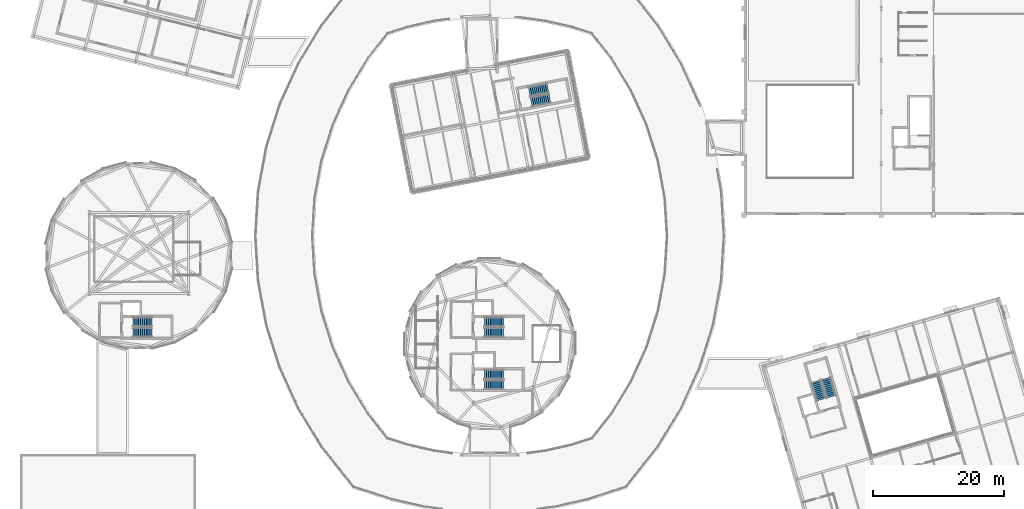
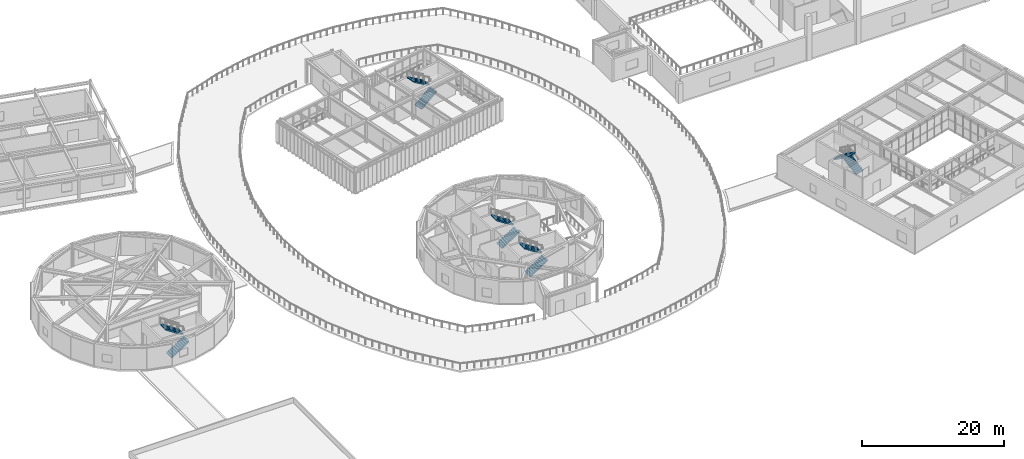
# One storey, part 40 of 59: 10 stair flights, 5 elements without a shape of their own.
"""IFC4 building model written with IfcOpenShell, lengths in metres."""

from ifc_helpers import new_model, si_unit, direction, frame, origin, place, context, subcontext, project, spatial, polyline, outline, extrude, material, type_object, element, aggregate, save


model = new_model("IFC4")

# Units and contexts
model_context = context("Model", 3, precision=1e-05, world=origin(), true_north=direction((0.0, 1.0)))
body_context = subcontext(model_context, "Body", "Model", "MODEL_VIEW")
ifc_project = project(units=[si_unit("LENGTHUNIT", "METRE"), si_unit("AREAUNIT", "SQUARE_METRE"), si_unit("VOLUMEUNIT", "CUBIC_METRE"), si_unit("PLANEANGLEUNIT", "RADIAN"), si_unit("MASSUNIT", "GRAM", prefix="KILO")], contexts=[model_context])

# Site, building, storey
site_placement = place(None, origin())
site = spatial("IfcSite", under=ifc_project, at=site_placement, CompositionType="ELEMENT")
building_placement = place(site_placement, origin())
building = spatial("IfcBuilding", under=site, at=building_placement, Name="Varnklinge Art Gallery", CompositionType="ELEMENT")
storey_placement = place(building_placement, frame((0.0, 0.0, 9.52001953125)))
storey = spatial("IfcBuildingStorey", under=building, at=storey_placement, Name="L02", CompositionType="ELEMENT", Elevation=9.52001953125)

# Stair, stair flights
ifc_material_1 = material(Name="Concrete C40/50", Category="concrete")
stair_type = type_object("IfcStairType", Name="STR-C4160", PredefinedType="HALF_TURN_STAIR", material=ifc_material_1)
stair_1_placement = place(storey_placement, origin())
stair_1 = element("IfcStair", 1, at=stair_1_placement, inside=storey, type_object=stair_type, Name="L02 Core C1 Stair ST-01", PredefinedType="HALF_TURN_STAIR")
ifc_material_2 = material(Name="Concrete C40/50", Category="concrete")
stair_flight_type = type_object("IfcStairFlightType", Name="FLT-C4160", PredefinedType="STRAIGHT", material=ifc_material_2)
stair_flight_1_placement = place(storey_placement, frame((74.699951171875, 32.22509765625, 0.0), z_axis=(0.0, 0.0, 1.0), x_axis=(1.0, 0.0, 0.0)))
stair_flight_1 = element("IfcStairFlight", 2, at=stair_flight_1_placement, type_object=stair_flight_type, Name="ST-01 flight 1", NumberOfRisers=11, NumberOfTreads=10, PredefinedType="STRAIGHT", RiserHeight=0.189090909, TreadLength=0.29, context=body_context, shape_type="SweptSolid", body=[
    extrude(outline(polyline([(0.0, 0.0), (0.0, 0.189208984375), (0.2900390625, 0.189208984375), (0.2900390625, 0.378173828125), (0.580078125, 0.378173828125), (0.580078125, 0.5673828125), (0.8701171875, 0.5673828125), (0.8701171875, 0.75634765625), (1.159912109375, 0.75634765625), (1.159912109375, 0.945556640625), (1.449951171875, 0.945556640625), (1.449951171875, 1.134521484375), (1.739990234375, 1.134521484375), (1.739990234375, 1.32373046875), (2.030029296875, 1.32373046875), (2.030029296875, 1.5126953125), (2.320068359375, 1.5126953125), (2.320068359375, 1.701904296875), (2.610107421875, 1.701904296875), (2.610107421875, 1.890869140625), (2.89990234375, 1.890869140625), (2.89990234375, 2.080078125), (2.89990234375, 1.699951171875), (0.292724609375, 0.0), (0.0, 0.0)])), frame((0.0, 0.72509765625, 0.0), z_axis=(0.0, -1.0, 0.0), x_axis=(1.0, 0.0, 0.0)), (0.0, 0.0, 1.0), 1.449951171875),
])
stair_flight_2_placement = place(storey_placement, frame((77.60009765625, 33.8349609375, 2.080078125), z_axis=(0.0, 0.0, 1.0), x_axis=(-1.0, 0.0, 0.0)))
stair_flight_2 = element("IfcStairFlight", 3, at=stair_flight_2_placement, type_object=stair_flight_type, Name="ST-01 flight 2", NumberOfRisers=11, NumberOfTreads=10, PredefinedType="STRAIGHT", RiserHeight=0.189090909, TreadLength=0.29, context=body_context, shape_type="SweptSolid", body=[
    extrude(outline(polyline([(0.0, 0.0), (0.0, 0.189208984375), (0.2900390625, 0.189208984375), (0.2900390625, 0.378173828125), (0.580078125, 0.378173828125), (0.580078125, 0.5673828125), (0.8701171875, 0.5673828125), (0.8701171875, 0.75634765625), (1.159912109375, 0.75634765625), (1.159912109375, 0.945556640625), (1.449951171875, 0.945556640625), (1.449951171875, 1.134521484375), (1.739990234375, 1.134521484375), (1.739990234375, 1.32373046875), (2.030029296875, 1.32373046875), (2.030029296875, 1.5126953125), (2.320068359375, 1.5126953125), (2.320068359375, 1.701904296875), (2.610107421875, 1.701904296875), (2.610107421875, 1.890869140625), (2.89990234375, 1.890869140625), (2.89990234375, 2.080078125), (2.89990234375, 1.699951171875), (0.292724609375, 0.0), (0.0, 0.0)])), frame((0.0, 0.72509765625, 0.0), z_axis=(0.0, -1.0, 0.0), x_axis=(1.0, 0.0, 0.0)), (0.0, 0.0, 1.0), 1.449951171875),
])
aggregate(stair_1, [stair_flight_1, stair_flight_2])

stair_2_placement = place(storey_placement, origin())
stair_2 = element("IfcStair", 4, at=stair_2_placement, inside=storey, type_object=stair_type, Name="L02 Core C2 Stair ST-02", PredefinedType="HALF_TURN_STAIR")
stair_flight_3_placement = place(storey_placement, frame((74.699951171875, 40.22509765625, 0.0), z_axis=(0.0, 0.0, 1.0), x_axis=(1.0, 0.0, 0.0)))
stair_flight_3 = element("IfcStairFlight", 5, at=stair_flight_3_placement, type_object=stair_flight_type, Name="ST-02 flight 1", NumberOfRisers=11, NumberOfTreads=10, PredefinedType="STRAIGHT", RiserHeight=0.189090909, TreadLength=0.29, context=body_context, shape_type="SweptSolid", body=[
    extrude(outline(polyline([(0.0, 0.0), (0.0, 0.189208984375), (0.2900390625, 0.189208984375), (0.2900390625, 0.378173828125), (0.580078125, 0.378173828125), (0.580078125, 0.5673828125), (0.8701171875, 0.5673828125), (0.8701171875, 0.75634765625), (1.159912109375, 0.75634765625), (1.159912109375, 0.945556640625), (1.449951171875, 0.945556640625), (1.449951171875, 1.134521484375), (1.739990234375, 1.134521484375), (1.739990234375, 1.32373046875), (2.030029296875, 1.32373046875), (2.030029296875, 1.5126953125), (2.320068359375, 1.5126953125), (2.320068359375, 1.701904296875), (2.610107421875, 1.701904296875), (2.610107421875, 1.890869140625), (2.89990234375, 1.890869140625), (2.89990234375, 2.080078125), (2.89990234375, 1.699951171875), (0.292724609375, 0.0), (0.0, 0.0)])), frame((0.0, 0.72509765625, 0.0), z_axis=(0.0, -1.0, 0.0), x_axis=(1.0, 0.0, 0.0)), (0.0, 0.0, 1.0), 1.449951171875),
])
stair_flight_4_placement = place(storey_placement, frame((77.60009765625, 41.8349609375, 2.080078125), z_axis=(0.0, 0.0, 1.0), x_axis=(-1.0, 0.0, 0.0)))
stair_flight_4 = element("IfcStairFlight", 6, at=stair_flight_4_placement, type_object=stair_flight_type, Name="ST-02 flight 2", NumberOfRisers=11, NumberOfTreads=10, PredefinedType="STRAIGHT", RiserHeight=0.189090909, TreadLength=0.29, context=body_context, shape_type="SweptSolid", body=[
    extrude(outline(polyline([(0.0, 0.0), (0.0, 0.189208984375), (0.2900390625, 0.189208984375), (0.2900390625, 0.378173828125), (0.580078125, 0.378173828125), (0.580078125, 0.5673828125), (0.8701171875, 0.5673828125), (0.8701171875, 0.75634765625), (1.159912109375, 0.75634765625), (1.159912109375, 0.945556640625), (1.449951171875, 0.945556640625), (1.449951171875, 1.134521484375), (1.739990234375, 1.134521484375), (1.739990234375, 1.32373046875), (2.030029296875, 1.32373046875), (2.030029296875, 1.5126953125), (2.320068359375, 1.5126953125), (2.320068359375, 1.701904296875), (2.610107421875, 1.701904296875), (2.610107421875, 1.890869140625), (2.89990234375, 1.890869140625), (2.89990234375, 2.080078125), (2.89990234375, 1.699951171875), (0.292724609375, 0.0), (0.0, 0.0)])), frame((0.0, 0.72509765625, 0.0), z_axis=(0.0, -1.0, 0.0), x_axis=(1.0, 0.0, 0.0)), (0.0, 0.0, 1.0), 1.449951171875),
])
aggregate(stair_2, [stair_flight_3, stair_flight_4])

stair_3_placement = place(storey_placement, origin())
stair_3 = element("IfcStair", 7, at=stair_3_placement, inside=storey, type_object=stair_type, Name="L02 Core C5 Stair ST-05", PredefinedType="HALF_TURN_STAIR")
stair_flight_5_placement = place(storey_placement, frame((127.765625, 30.408447265625, 0.0), z_axis=(0.0, 0.0, 1.0), x_axis=(-0.275637355817, 0.961261695938, 0.0)))
stair_flight_5 = element("IfcStairFlight", 8, at=stair_flight_5_placement, type_object=stair_flight_type, Name="ST-05 flight 1", NumberOfRisers=11, NumberOfTreads=10, PredefinedType="STRAIGHT", RiserHeight=0.189090909, TreadLength=0.29, context=body_context, shape_type="SweptSolid", body=[
    extrude(outline(polyline([(0.0, 0.0), (0.0, 0.189208984375), (0.2900390625, 0.189208984375), (0.2900390625, 0.378173828125), (0.580078125, 0.378173828125), (0.580078125, 0.5673828125), (0.8701171875, 0.5673828125), (0.8701171875, 0.75634765625), (1.159912109375, 0.75634765625), (1.159912109375, 0.945556640625), (1.449951171875, 0.945556640625), (1.449951171875, 1.134521484375), (1.739990234375, 1.134521484375), (1.739990234375, 1.32373046875), (2.030029296875, 1.32373046875), (2.030029296875, 1.5126953125), (2.320068359375, 1.5126953125), (2.320068359375, 1.701904296875), (2.610107421875, 1.701904296875), (2.610107421875, 1.890869140625), (2.89990234375, 1.890869140625), (2.89990234375, 2.080078125), (2.89990234375, 1.699951171875), (0.292724609375, 0.0), (0.0, 0.0)])), frame((0.0, 0.72509765625, 0.0), z_axis=(0.0, -1.0, 0.0), x_axis=(1.0, 0.0, 0.0)), (0.0, 0.0, 1.0), 1.449951171875),
])
stair_flight_6_placement = place(storey_placement, frame((125.418701171875, 32.752197265625, 2.080078125), z_axis=(0.0, 0.0, 1.0), x_axis=(0.275637355817, -0.961261695938, 0.0)))
stair_flight_6 = element("IfcStairFlight", 9, at=stair_flight_6_placement, type_object=stair_flight_type, Name="ST-05 flight 2", NumberOfRisers=11, NumberOfTreads=10, PredefinedType="STRAIGHT", RiserHeight=0.189090909, TreadLength=0.29, context=body_context, shape_type="SweptSolid", body=[
    extrude(outline(polyline([(0.0, 0.0), (0.0, 0.189208984375), (0.2900390625, 0.189208984375), (0.2900390625, 0.378173828125), (0.580078125, 0.378173828125), (0.580078125, 0.5673828125), (0.8701171875, 0.5673828125), (0.8701171875, 0.75634765625), (1.159912109375, 0.75634765625), (1.159912109375, 0.945556640625), (1.449951171875, 0.945556640625), (1.449951171875, 1.134521484375), (1.739990234375, 1.134521484375), (1.739990234375, 1.32373046875), (2.030029296875, 1.32373046875), (2.030029296875, 1.5126953125), (2.320068359375, 1.5126953125), (2.320068359375, 1.701904296875), (2.610107421875, 1.701904296875), (2.610107421875, 1.890869140625), (2.89990234375, 1.890869140625), (2.89990234375, 2.080078125), (2.89990234375, 1.699951171875), (0.292724609375, 0.0), (0.0, 0.0)])), frame((0.0, 0.72509765625, 0.0), z_axis=(0.0, -1.0, 0.0), x_axis=(1.0, 0.0, 0.0)), (0.0, 0.0, 1.0), 1.449951171875),
])
aggregate(stair_3, [stair_flight_5, stair_flight_6])

stair_4_placement = place(storey_placement, origin())
stair_4 = element("IfcStair", 10, at=stair_4_placement, inside=storey, type_object=stair_type, Name="L02 Core C6 Stair ST-06", PredefinedType="HALF_TURN_STAIR")
stair_flight_7_placement = place(storey_placement, frame((20.89990234375, 40.22509765625, 0.0), z_axis=(0.0, 0.0, 1.0), x_axis=(1.0, 0.0, 0.0)))
stair_flight_7 = element("IfcStairFlight", 11, at=stair_flight_7_placement, type_object=stair_flight_type, Name="ST-06 flight 1", NumberOfRisers=11, NumberOfTreads=10, PredefinedType="STRAIGHT", RiserHeight=0.189090909, TreadLength=0.29, context=body_context, shape_type="SweptSolid", body=[
    extrude(outline(polyline([(0.0, 0.0), (0.0, 0.189208984375), (0.2900390625, 0.189208984375), (0.2900390625, 0.378173828125), (0.580078125, 0.378173828125), (0.580078125, 0.5673828125), (0.8701171875, 0.5673828125), (0.8701171875, 0.75634765625), (1.159912109375, 0.75634765625), (1.159912109375, 0.945556640625), (1.449951171875, 0.945556640625), (1.449951171875, 1.134521484375), (1.739990234375, 1.134521484375), (1.739990234375, 1.32373046875), (2.030029296875, 1.32373046875), (2.030029296875, 1.5126953125), (2.320068359375, 1.5126953125), (2.320068359375, 1.701904296875), (2.610107421875, 1.701904296875), (2.610107421875, 1.890869140625), (2.89990234375, 1.890869140625), (2.89990234375, 2.080078125), (2.89990234375, 1.699951171875), (0.292724609375, 0.0), (0.0, 0.0)])), frame((0.0, 0.72509765625, 0.0), z_axis=(0.0, -1.0, 0.0), x_axis=(1.0, 0.0, 0.0)), (0.0, 0.0, 1.0), 1.449951171875),
])
stair_flight_8_placement = place(storey_placement, frame((23.800048828125, 41.8349609375, 2.080078125), z_axis=(0.0, 0.0, 1.0), x_axis=(-1.0, 0.0, 0.0)))
stair_flight_8 = element("IfcStairFlight", 12, at=stair_flight_8_placement, type_object=stair_flight_type, Name="ST-06 flight 2", NumberOfRisers=11, NumberOfTreads=10, PredefinedType="STRAIGHT", RiserHeight=0.189090909, TreadLength=0.29, context=body_context, shape_type="SweptSolid", body=[
    extrude(outline(polyline([(0.0, 0.0), (0.0, 0.189208984375), (0.2900390625, 0.189208984375), (0.2900390625, 0.378173828125), (0.580078125, 0.378173828125), (0.580078125, 0.5673828125), (0.8701171875, 0.5673828125), (0.8701171875, 0.75634765625), (1.159912109375, 0.75634765625), (1.159912109375, 0.945556640625), (1.449951171875, 0.945556640625), (1.449951171875, 1.134521484375), (1.739990234375, 1.134521484375), (1.739990234375, 1.32373046875), (2.030029296875, 1.32373046875), (2.030029296875, 1.5126953125), (2.320068359375, 1.5126953125), (2.320068359375, 1.701904296875), (2.610107421875, 1.701904296875), (2.610107421875, 1.890869140625), (2.89990234375, 1.890869140625), (2.89990234375, 2.080078125), (2.89990234375, 1.699951171875), (0.292724609375, 0.0), (0.0, 0.0)])), frame((0.0, 0.72509765625, 0.0), z_axis=(0.0, -1.0, 0.0), x_axis=(1.0, 0.0, 0.0)), (0.0, 0.0, 1.0), 1.449951171875),
])
aggregate(stair_4, [stair_flight_7, stair_flight_8])

stair_5_placement = place(storey_placement, origin())
stair_5 = element("IfcStair", 13, at=stair_5_placement, inside=storey, type_object=stair_type, Name="L02 Core C8 Stair ST-10", PredefinedType="HALF_TURN_STAIR")
stair_flight_9_placement = place(storey_placement, frame((81.845947265625, 75.49072265625, 0.0), z_axis=(0.0, 0.0, 1.0), x_axis=(0.981627183448, 0.190808995377, 0.0)))
stair_flight_9 = element("IfcStairFlight", 14, at=stair_flight_9_placement, type_object=stair_flight_type, Name="ST-10 flight 1", NumberOfRisers=11, NumberOfTreads=10, PredefinedType="STRAIGHT", RiserHeight=0.189090909, TreadLength=0.29, context=body_context, shape_type="SweptSolid", body=[
    extrude(outline(polyline([(0.0, 0.0), (0.0, 0.189208984375), (0.2900390625, 0.189208984375), (0.2900390625, 0.378173828125), (0.580078125, 0.378173828125), (0.580078125, 0.5673828125), (0.8701171875, 0.5673828125), (0.8701171875, 0.75634765625), (1.159912109375, 0.75634765625), (1.159912109375, 0.945556640625), (1.449951171875, 0.945556640625), (1.449951171875, 1.134521484375), (1.739990234375, 1.134521484375), (1.739990234375, 1.32373046875), (2.030029296875, 1.32373046875), (2.030029296875, 1.5126953125), (2.320068359375, 1.5126953125), (2.320068359375, 1.701904296875), (2.610107421875, 1.701904296875), (2.610107421875, 1.890869140625), (2.89990234375, 1.890869140625), (2.89990234375, 2.080078125), (2.89990234375, 1.699951171875), (0.292724609375, 0.0), (0.0, 0.0)])), frame((0.0, 0.72509765625, 0.0), z_axis=(0.0, -1.0, 0.0), x_axis=(1.0, 0.0, 0.0)), (0.0, 0.0, 1.0), 1.449951171875),
])
stair_flight_10_placement = place(storey_placement, frame((84.385498046875, 77.62451171875, 2.080078125), z_axis=(0.0, 0.0, 1.0), x_axis=(-0.981627183448, -0.190808995377, 0.0)))
stair_flight_10 = element("IfcStairFlight", 15, at=stair_flight_10_placement, type_object=stair_flight_type, Name="ST-10 flight 2", NumberOfRisers=11, NumberOfTreads=10, PredefinedType="STRAIGHT", RiserHeight=0.189090909, TreadLength=0.29, context=body_context, shape_type="SweptSolid", body=[
    extrude(outline(polyline([(0.0, 0.0), (0.0, 0.189208984375), (0.2900390625, 0.189208984375), (0.2900390625, 0.378173828125), (0.580078125, 0.378173828125), (0.580078125, 0.5673828125), (0.8701171875, 0.5673828125), (0.8701171875, 0.75634765625), (1.159912109375, 0.75634765625), (1.159912109375, 0.945556640625), (1.449951171875, 0.945556640625), (1.449951171875, 1.134521484375), (1.739990234375, 1.134521484375), (1.739990234375, 1.32373046875), (2.030029296875, 1.32373046875), (2.030029296875, 1.5126953125), (2.320068359375, 1.5126953125), (2.320068359375, 1.701904296875), (2.610107421875, 1.701904296875), (2.610107421875, 1.890869140625), (2.89990234375, 1.890869140625), (2.89990234375, 2.080078125), (2.89990234375, 1.699951171875), (0.292724609375, 0.0), (0.0, 0.0)])), frame((0.0, 0.72509765625, 0.0), z_axis=(0.0, -1.0, 0.0), x_axis=(1.0, 0.0, 0.0)), (0.0, 0.0, 1.0), 1.449951171875),
])
aggregate(stair_5, [stair_flight_9, stair_flight_10])

save(model, "model.ifc")
